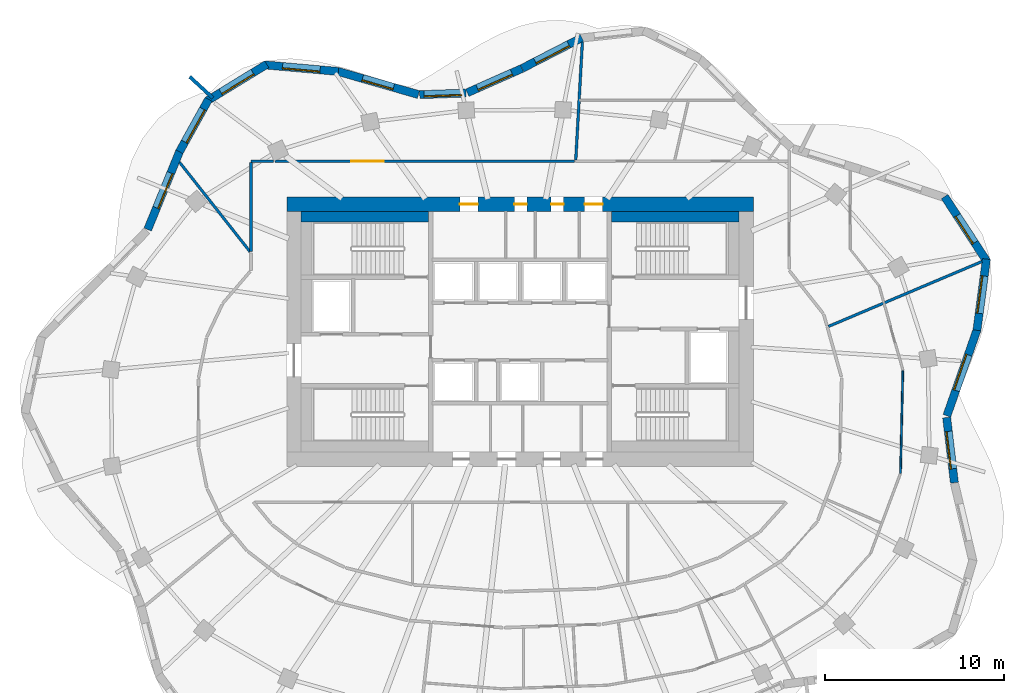
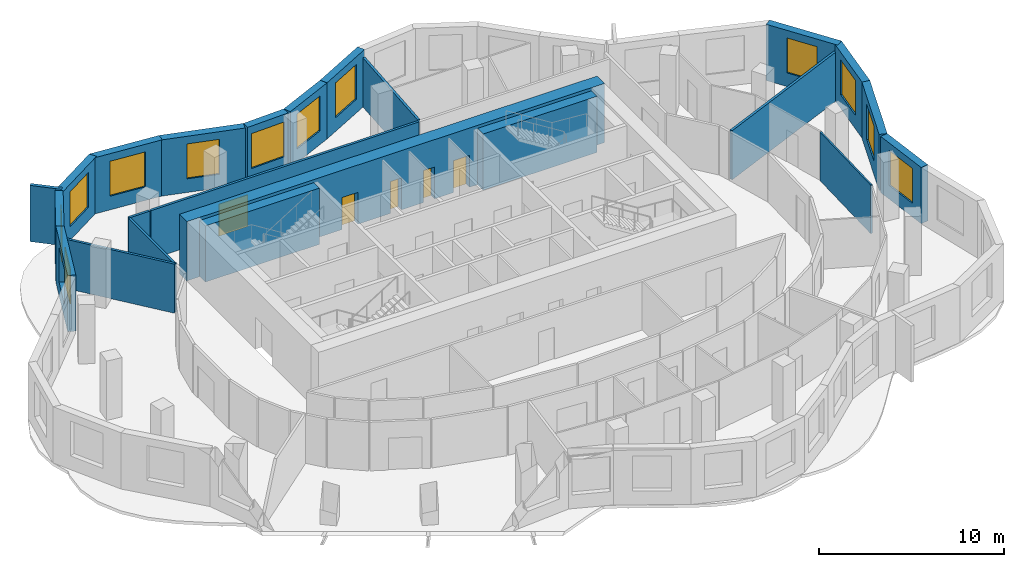
# One storey, part 7 of 9: 23 walls, 12 windows, 5 doors, 17 openings.
"""IFC4 building model written with IfcOpenShell, lengths in metres."""

from ifc_helpers import new_model, si_unit, direction, frame, frame_2d, origin, place, context, subcontext, project, spatial, rectangle, extrude, material, layer, layer_set, type_object, element, fill, save


model = new_model("IFC4")

# Units and contexts
model_context = context("Model", 3, precision=1e-05, world=origin(), true_north=direction((0.0, 1.0)))
body_context = subcontext(model_context, "Body", "Model", "MODEL_VIEW")
ifc_project = project(units=[si_unit("LENGTHUNIT", "METRE"), si_unit("AREAUNIT", "SQUARE_METRE"), si_unit("VOLUMEUNIT", "CUBIC_METRE"), si_unit("PLANEANGLEUNIT", "RADIAN"), si_unit("MASSUNIT", "GRAM", prefix="KILO")], contexts=[model_context])

# Site, building, storey
site_placement = place(None, origin())
site = spatial("IfcSite", under=ifc_project, at=site_placement, CompositionType="ELEMENT")
building_placement = place(site_placement, origin())
building = spatial("IfcBuilding", under=site, at=building_placement, Name="Rubra Terraces Tower", CompositionType="ELEMENT")
storey_placement = place(building_placement, frame((0.0, 0.0, 284.39990234375)))
storey = spatial("IfcBuildingStorey", under=building, at=storey_placement, Name="L70", CompositionType="ELEMENT", Elevation=284.39990234375)

# Wall, opening, window
ifc_material_1 = material(Name="Brick masonry red-brown", Category="masonry")
ifc_layer_1 = layer(ifc_material_1, 0.449951171875)
ifc_layer_set_1 = layer_set([ifc_layer_1], Name="Brick masonry red-brown")
wall_type_1 = type_object("IfcWallType", Name="Brick facade wall 450", PredefinedType="SOLIDWALL", material=ifc_layer_set_1)
wall_1_placement = place(storey_placement, frame((23.782470703125, -0.189208984375, 0.0), z_axis=(0.0, 0.0, 1.0), x_axis=(0.330794307703, 0.943702880144, 0.0)))
wall_1 = element("IfcWall", 1, at=wall_1_placement, inside=storey, type_object=wall_type_1, Name="Facade wall L70 bay 1", PredefinedType="SOLIDWALL", context=body_context, shape_type="SweptSolid", body=[
    extrude(rectangle(XDim=5.095458984375, YDim=0.449951171875, at=frame_2d((2.5478515625, 0.0))), origin(), (0.0, 0.0, 1.0), 3.7001953125),
])
opening_1_placement = place(wall_1_placement, frame((1.497802734375, 0.0, 0.89990234375)))
opening_1 = element("IfcOpeningElement", 2, at=opening_1_placement, cuts=wall_1, Name="Opening W1B", PredefinedType="OPENING", context=body_context, shape_type="SweptSolid", body=[
    extrude(rectangle(XDim=2.10009765625, YDim=2.300048828125, at=frame_2d((1.050048828125, 1.14990234375))), frame((0.0, 0.23486328125, 0.0), z_axis=(0.0, -1.0, 0.0), x_axis=(1.0, 0.0, 0.0)), (0.0, 0.0, 1.0), 0.469970703125),
])
ifc_material_2 = material(Name="Clear glass in aluminium frame", Category="aluminium")
window_type_1 = type_object("IfcWindowType", Name="Fixed deep-set window tall storey 2100 x 2300", PartitioningType="SINGLE_PANEL", PredefinedType="WINDOW", material=ifc_material_2)
window_1_placement = place(opening_1_placement, origin())
window_1 = element("IfcWindow", 3, at=window_1_placement, inside=storey, type_object=window_type_1, Name="Window L70 bay 1", OverallHeight=2.300048828125, OverallWidth=2.10009765625, PartitioningType="SINGLE_PANEL", PredefinedType="WINDOW", context=body_context, shape_type="SweptSolid", body=[
    extrude(rectangle(XDim=2.10009765625, YDim=2.300048828125, at=frame_2d((1.050048828125, 1.14990234375))), frame((0.0, 0.135009765625, 0.0), z_axis=(0.0, -1.0, 0.0), x_axis=(1.0, 0.0, 0.0)), (0.0, 0.0, 1.0), 0.06005859375),
])
fill(opening_1, window_1)

wall_2_placement = place(storey_placement, frame((25.457275390625, 4.57470703125, 0.0), z_axis=(0.0, 0.0, 1.0), x_axis=(0.132475046402, 0.991186340746, 0.0)))
wall_2 = element("IfcWall", 4, at=wall_2_placement, inside=storey, type_object=wall_type_1, Name="Facade wall L70 bay 2", PredefinedType="SOLIDWALL", context=body_context, shape_type="SweptSolid", body=[
    extrude(rectangle(XDim=4.006591796875, YDim=0.449951171875, at=frame_2d((2.00341796875, 0.0))), origin(), (0.0, 0.0, 1.0), 3.7001953125),
])
opening_2_placement = place(wall_2_placement, frame((0.953125, 0.0, 0.89990234375)))
opening_2 = element("IfcOpeningElement", 5, at=opening_2_placement, cuts=wall_2, Name="Opening W1B", PredefinedType="OPENING", context=body_context, shape_type="SweptSolid", body=[
    extrude(rectangle(XDim=2.10009765625, YDim=2.300048828125, at=frame_2d((1.050048828125, 1.14990234375))), frame((0.0, 0.23486328125, 0.0), z_axis=(0.0, -1.0, 0.0), x_axis=(1.0, 0.0, 0.0)), (0.0, 0.0, 1.0), 0.469970703125),
])
window_2_placement = place(opening_2_placement, origin())
window_2 = element("IfcWindow", 6, at=window_2_placement, inside=storey, type_object=window_type_1, Name="Window L70 bay 2", OverallHeight=2.300048828125, OverallWidth=2.10009765625, PartitioningType="SINGLE_PANEL", PredefinedType="WINDOW", context=body_context, shape_type="SweptSolid", body=[
    extrude(rectangle(XDim=2.10009765625, YDim=2.300048828125, at=frame_2d((1.050048828125, 1.14990234375))), frame((0.0, 0.135009765625, 0.0), z_axis=(0.0, -1.0, 0.0), x_axis=(1.0, 0.0, 0.0)), (0.0, 0.0, 1.0), 0.06005859375),
])
fill(opening_2, window_2)

wall_3_placement = place(storey_placement, frame((26.0224609375, 8.393310546875, 0.0), z_axis=(0.0, 0.0, 1.0), x_axis=(-0.545637310328, 0.838021435035, 0.0)))
wall_3 = element("IfcWall", 7, at=wall_3_placement, inside=storey, type_object=wall_type_1, Name="Facade wall L70 bay 3", PredefinedType="SOLIDWALL", context=body_context, shape_type="SweptSolid", body=[
    extrude(rectangle(XDim=4.336181640625, YDim=0.449951171875, at=frame_2d((2.16796875, 0.0))), origin(), (0.0, 0.0, 1.0), 3.7001953125),
])
opening_3_placement = place(wall_3_placement, frame((1.268310546875, 0.0, 0.89990234375)))
opening_3 = element("IfcOpeningElement", 8, at=opening_3_placement, cuts=wall_3, Name="Opening W6B", PredefinedType="OPENING", context=body_context, shape_type="SweptSolid", body=[
    extrude(rectangle(XDim=1.800048828125, YDim=2.300048828125, at=frame_2d((0.89990234375, 1.14990234375))), frame((0.0, 0.23486328125, 0.0), z_axis=(0.0, -1.0, 0.0), x_axis=(1.0, 0.0, 0.0)), (0.0, 0.0, 1.0), 0.469970703125),
])
window_type_2 = type_object("IfcWindowType", Name="Fixed deep-set window at wind fin tall storey 1800 x 2300", PartitioningType="SINGLE_PANEL", PredefinedType="WINDOW", material=ifc_material_2)
window_3_placement = place(opening_3_placement, origin())
window_3 = element("IfcWindow", 9, at=window_3_placement, inside=storey, type_object=window_type_2, Name="Window L70 bay 3", OverallHeight=2.300048828125, OverallWidth=1.800048828125, PartitioningType="SINGLE_PANEL", PredefinedType="WINDOW", context=body_context, shape_type="SweptSolid", body=[
    extrude(rectangle(XDim=1.800048828125, YDim=2.300048828125, at=frame_2d((0.89990234375, 1.14990234375))), frame((0.0, 0.135009765625, 0.0), z_axis=(0.0, -1.0, 0.0), x_axis=(1.0, 0.0, 0.0)), (0.0, 0.0, 1.0), 0.06005859375),
])
fill(opening_3, window_3)

wall_4_placement = place(storey_placement, frame((3.439697265625, 20.879638671875, 0.0), z_axis=(0.0, 0.0, 1.0), x_axis=(-0.889471529144, -0.456990589446, 0.0)))
wall_4 = element("IfcWall", 10, at=wall_4_placement, inside=storey, type_object=wall_type_1, Name="Facade wall L70 bay 10", PredefinedType="SOLIDWALL", context=body_context, shape_type="SweptSolid", body=[
    extrude(rectangle(XDim=3.7353515625, YDim=0.449951171875, at=frame_2d((1.86767578125, 0.0))), origin(), (0.0, 0.0, 1.0), 3.7001953125),
])
opening_4_placement = place(wall_4_placement, frame((0.817626953125, 0.0, 0.89990234375)))
opening_4 = element("IfcOpeningElement", 11, at=opening_4_placement, cuts=wall_4, Name="Opening W1B", PredefinedType="OPENING", context=body_context, shape_type="SweptSolid", body=[
    extrude(rectangle(XDim=2.10009765625, YDim=2.300048828125, at=frame_2d((1.050048828125, 1.14990234375))), frame((0.0, 0.23486328125, 0.0), z_axis=(0.0, -1.0, 0.0), x_axis=(1.0, 0.0, 0.0)), (0.0, 0.0, 1.0), 0.469970703125),
])
window_4_placement = place(opening_4_placement, origin())
window_4 = element("IfcWindow", 12, at=window_4_placement, inside=storey, type_object=window_type_1, Name="Window L70 bay 10", OverallHeight=2.300048828125, OverallWidth=2.10009765625, PartitioningType="SINGLE_PANEL", PredefinedType="WINDOW", context=body_context, shape_type="SweptSolid", body=[
    extrude(rectangle(XDim=2.10009765625, YDim=2.300048828125, at=frame_2d((1.050048828125, 1.14990234375))), frame((0.0, 0.135009765625, 0.0), z_axis=(0.0, -1.0, 0.0), x_axis=(1.0, 0.0, 0.0)), (0.0, 0.0, 1.0), 0.06005859375),
])
fill(opening_4, window_4)

wall_5_placement = place(storey_placement, frame((0.105224609375, 19.1669921875, 0.0), z_axis=(0.0, 0.0, 1.0), x_axis=(-0.91414046241, -0.405397601109, 0.0)))
wall_5 = element("IfcWall", 13, at=wall_5_placement, inside=storey, type_object=wall_type_1, Name="Facade wall L70 bay 11", PredefinedType="SOLIDWALL", context=body_context, shape_type="SweptSolid", body=[
    extrude(rectangle(XDim=3.333251953125, YDim=0.449951171875, at=frame_2d((1.66650390625, 0.0))), origin(), (0.0, 0.0, 1.0), 3.7001953125),
])
opening_5_placement = place(wall_5_placement, frame((0.61669921875, 0.0, 0.89990234375)))
opening_5 = element("IfcOpeningElement", 14, at=opening_5_placement, cuts=wall_5, Name="Opening W1B", PredefinedType="OPENING", context=body_context, shape_type="SweptSolid", body=[
    extrude(rectangle(XDim=2.10009765625, YDim=2.300048828125, at=frame_2d((1.050048828125, 1.14990234375))), frame((0.0, 0.23486328125, 0.0), z_axis=(0.0, -1.0, 0.0), x_axis=(1.0, 0.0, 0.0)), (0.0, 0.0, 1.0), 0.469970703125),
])
window_5_placement = place(opening_5_placement, origin())
window_5 = element("IfcWindow", 15, at=window_5_placement, inside=storey, type_object=window_type_1, Name="Window L70 bay 11", OverallHeight=2.300048828125, OverallWidth=2.10009765625, PartitioningType="SINGLE_PANEL", PredefinedType="WINDOW", context=body_context, shape_type="SweptSolid", body=[
    extrude(rectangle(XDim=2.10009765625, YDim=2.300048828125, at=frame_2d((1.050048828125, 1.14990234375))), frame((0.0, 0.135009765625, 0.0), z_axis=(0.0, -1.0, 0.0), x_axis=(1.0, 0.0, 0.0)), (0.0, 0.0, 1.0), 0.06005859375),
])
fill(opening_5, window_5)

wall_6_placement = place(storey_placement, frame((-3.022216796875, 17.797607421875, 0.0), z_axis=(0.0, 0.0, 1.0), x_axis=(-0.999339560591, -0.036337895349, 0.0)))
wall_6 = element("IfcWall", 16, at=wall_6_placement, inside=storey, type_object=wall_type_1, Name="Facade wall L70 bay 12", PredefinedType="SOLIDWALL", context=body_context, shape_type="SweptSolid", body=[
    extrude(rectangle(XDim=2.5732421875, YDim=0.449951171875, at=frame_2d((1.28662109375, 0.0))), origin(), (0.0, 0.0, 1.0), 3.7001953125),
])
opening_6_placement = place(wall_6_placement, frame((0.236572265625, 0.0, 0.89990234375)))
opening_6 = element("IfcOpeningElement", 17, at=opening_6_placement, cuts=wall_6, Name="Opening W1B", PredefinedType="OPENING", context=body_context, shape_type="SweptSolid", body=[
    extrude(rectangle(XDim=2.10009765625, YDim=2.300048828125, at=frame_2d((1.050048828125, 1.14990234375))), frame((0.0, 0.23486328125, 0.0), z_axis=(0.0, -1.0, 0.0), x_axis=(1.0, 0.0, 0.0)), (0.0, 0.0, 1.0), 0.469970703125),
])
window_6_placement = place(opening_6_placement, origin())
window_6 = element("IfcWindow", 18, at=window_6_placement, inside=storey, type_object=window_type_1, Name="Window L70 bay 12", OverallHeight=2.300048828125, OverallWidth=2.10009765625, PartitioningType="SINGLE_PANEL", PredefinedType="WINDOW", context=body_context, shape_type="SweptSolid", body=[
    extrude(rectangle(XDim=2.10009765625, YDim=2.300048828125, at=frame_2d((1.050048828125, 1.14990234375))), frame((0.0, 0.135009765625, 0.0), z_axis=(0.0, -1.0, 0.0), x_axis=(1.0, 0.0, 0.0)), (0.0, 0.0, 1.0), 0.06005859375),
])
fill(opening_6, window_6)

wall_7_placement = place(storey_placement, frame((-5.6640625, 17.712646484375, 0.0), z_axis=(0.0, 0.0, 1.0), x_axis=(-0.961108031684, 0.276172684083, 0.0)))
wall_7 = element("IfcWall", 19, at=wall_7_placement, inside=storey, type_object=wall_type_1, Name="Facade wall L70 bay 13", PredefinedType="SOLIDWALL", context=body_context, shape_type="SweptSolid", body=[
    extrude(rectangle(XDim=4.686279296875, YDim=0.449951171875, at=frame_2d((2.34326171875, 0.0))), origin(), (0.0, 0.0, 1.0), 3.7001953125),
])
opening_7_placement = place(wall_7_placement, frame((1.443115234375, 0.0, 0.89990234375)))
opening_7 = element("IfcOpeningElement", 20, at=opening_7_placement, cuts=wall_7, Name="Opening W6B", PredefinedType="OPENING", context=body_context, shape_type="SweptSolid", body=[
    extrude(rectangle(XDim=1.800048828125, YDim=2.300048828125, at=frame_2d((0.89990234375, 1.14990234375))), frame((0.0, 0.23486328125, 0.0), z_axis=(0.0, -1.0, 0.0), x_axis=(1.0, 0.0, 0.0)), (0.0, 0.0, 1.0), 0.469970703125),
])
window_7_placement = place(opening_7_placement, origin())
window_7 = element("IfcWindow", 21, at=window_7_placement, inside=storey, type_object=window_type_2, Name="Window L70 bay 13", OverallHeight=2.300048828125, OverallWidth=1.800048828125, PartitioningType="SINGLE_PANEL", PredefinedType="WINDOW", context=body_context, shape_type="SweptSolid", body=[
    extrude(rectangle(XDim=1.800048828125, YDim=2.300048828125, at=frame_2d((0.89990234375, 1.14990234375))), frame((0.0, 0.135009765625, 0.0), z_axis=(0.0, -1.0, 0.0), x_axis=(1.0, 0.0, 0.0)), (0.0, 0.0, 1.0), 0.06005859375),
])
fill(opening_7, window_7)

wall_8_placement = place(storey_placement, frame((-10.125732421875, 18.9990234375, 0.0), z_axis=(0.0, 0.0, 1.0), x_axis=(-0.996031087117, 0.089006030672, 0.0)))
wall_8 = element("IfcWall", 22, at=wall_8_placement, inside=storey, type_object=wall_type_1, Name="Facade wall L70 bay 14", PredefinedType="SOLIDWALL", context=body_context, shape_type="SweptSolid", body=[
    extrude(rectangle(XDim=4.14453125, YDim=0.449951171875, at=frame_2d((2.072265625, 0.0))), origin(), (0.0, 0.0, 1.0), 3.7001953125),
])
opening_8_placement = place(wall_8_placement, frame((1.022216796875, 0.0, 0.89990234375)))
opening_8 = element("IfcOpeningElement", 23, at=opening_8_placement, cuts=wall_8, Name="Opening W1B", PredefinedType="OPENING", context=body_context, shape_type="SweptSolid", body=[
    extrude(rectangle(XDim=2.10009765625, YDim=2.300048828125, at=frame_2d((1.050048828125, 1.14990234375))), frame((0.0, 0.23486328125, 0.0), z_axis=(0.0, -1.0, 0.0), x_axis=(1.0, 0.0, 0.0)), (0.0, 0.0, 1.0), 0.469970703125),
])
window_8_placement = place(opening_8_placement, origin())
window_8 = element("IfcWindow", 24, at=window_8_placement, inside=storey, type_object=window_type_1, Name="Window L70 bay 14", OverallHeight=2.300048828125, OverallWidth=2.10009765625, PartitioningType="SINGLE_PANEL", PredefinedType="WINDOW", context=body_context, shape_type="SweptSolid", body=[
    extrude(rectangle(XDim=2.10009765625, YDim=2.300048828125, at=frame_2d((1.050048828125, 1.14990234375))), frame((0.0, 0.135009765625, 0.0), z_axis=(0.0, -1.0, 0.0), x_axis=(1.0, 0.0, 0.0)), (0.0, 0.0, 1.0), 0.06005859375),
])
fill(opening_8, window_8)

wall_9_placement = place(storey_placement, frame((-14.116455078125, 19.400146484375, 0.0), z_axis=(0.0, 0.0, 1.0), x_axis=(-0.852622865325, -0.522526793117, 0.0)))
wall_9 = element("IfcWall", 25, at=wall_9_placement, inside=storey, type_object=wall_type_1, Name="Facade wall L70 bay 15", PredefinedType="SOLIDWALL", context=body_context, shape_type="SweptSolid", body=[
    extrude(rectangle(XDim=3.896240234375, YDim=0.449951171875, at=frame_2d((1.9482421875, 0.0))), origin(), (0.0, 0.0, 1.0), 3.7001953125),
])
opening_9_placement = place(wall_9_placement, frame((0.898193359375, 0.0, 0.89990234375)))
opening_9 = element("IfcOpeningElement", 26, at=opening_9_placement, cuts=wall_9, Name="Opening W1B", PredefinedType="OPENING", context=body_context, shape_type="SweptSolid", body=[
    extrude(rectangle(XDim=2.10009765625, YDim=2.300048828125, at=frame_2d((1.050048828125, 1.14990234375))), frame((0.0, 0.23486328125, 0.0), z_axis=(0.0, -1.0, 0.0), x_axis=(1.0, 0.0, 0.0)), (0.0, 0.0, 1.0), 0.469970703125),
])
window_9_placement = place(opening_9_placement, origin())
window_9 = element("IfcWindow", 27, at=window_9_placement, inside=storey, type_object=window_type_1, Name="Window L70 bay 15", OverallHeight=2.300048828125, OverallWidth=2.10009765625, PartitioningType="SINGLE_PANEL", PredefinedType="WINDOW", context=body_context, shape_type="SweptSolid", body=[
    extrude(rectangle(XDim=2.10009765625, YDim=2.300048828125, at=frame_2d((1.050048828125, 1.14990234375))), frame((0.0, 0.135009765625, 0.0), z_axis=(0.0, -1.0, 0.0), x_axis=(1.0, 0.0, 0.0)), (0.0, 0.0, 1.0), 0.06005859375),
])
fill(opening_9, window_9)

wall_10_placement = place(storey_placement, frame((-17.359375, 17.44677734375, 0.0), z_axis=(0.0, 0.0, 1.0), x_axis=(-0.485618126214, -0.874171056197, 0.0)))
wall_10 = element("IfcWall", 28, at=wall_10_placement, inside=storey, type_object=wall_type_1, Name="Facade wall L70 bay 16", PredefinedType="SOLIDWALL", context=body_context, shape_type="SweptSolid", body=[
    extrude(rectangle(XDim=3.3427734375, YDim=0.449951171875, at=frame_2d((1.67138671875, 0.0))), origin(), (0.0, 0.0, 1.0), 3.7001953125),
])
opening_10_placement = place(wall_10_placement, frame((0.621337890625, 0.0, 0.89990234375)))
opening_10 = element("IfcOpeningElement", 29, at=opening_10_placement, cuts=wall_10, Name="Opening W1B", PredefinedType="OPENING", context=body_context, shape_type="SweptSolid", body=[
    extrude(rectangle(XDim=2.10009765625, YDim=2.300048828125, at=frame_2d((1.050048828125, 1.14990234375))), frame((0.0, 0.23486328125, 0.0), z_axis=(0.0, -1.0, 0.0), x_axis=(1.0, 0.0, 0.0)), (0.0, 0.0, 1.0), 0.469970703125),
])
window_10_placement = place(opening_10_placement, origin())
window_10 = element("IfcWindow", 30, at=window_10_placement, inside=storey, type_object=window_type_1, Name="Window L70 bay 16", OverallHeight=2.300048828125, OverallWidth=2.10009765625, PartitioningType="SINGLE_PANEL", PredefinedType="WINDOW", context=body_context, shape_type="SweptSolid", body=[
    extrude(rectangle(XDim=2.10009765625, YDim=2.300048828125, at=frame_2d((1.050048828125, 1.14990234375))), frame((0.0, 0.135009765625, 0.0), z_axis=(0.0, -1.0, 0.0), x_axis=(1.0, 0.0, 0.0)), (0.0, 0.0, 1.0), 0.06005859375),
])
fill(opening_10, window_10)

wall_11_placement = place(storey_placement, frame((-18.97119140625, 14.548828125, 0.0), z_axis=(0.0, 0.0, 1.0), x_axis=(-0.378434936431, -0.925627894398, 0.0)))
wall_11 = element("IfcWall", 31, at=wall_11_placement, inside=storey, type_object=wall_type_1, Name="Facade wall L70 bay 17", PredefinedType="SOLIDWALL", context=body_context, shape_type="SweptSolid", body=[
    extrude(rectangle(XDim=4.70751953125, YDim=0.449951171875, at=frame_2d((2.353759765625, 0.0))), origin(), (0.0, 0.0, 1.0), 3.7001953125),
])
opening_11_placement = place(wall_11_placement, frame((1.3037109375, 0.0, 0.89990234375)))
opening_11 = element("IfcOpeningElement", 32, at=opening_11_placement, cuts=wall_11, Name="Opening W1B", PredefinedType="OPENING", context=body_context, shape_type="SweptSolid", body=[
    extrude(rectangle(XDim=2.10009765625, YDim=2.300048828125, at=frame_2d((1.050048828125, 1.14990234375))), frame((0.0, 0.23486328125, 0.0), z_axis=(0.0, -1.0, 0.0), x_axis=(1.0, 0.0, 0.0)), (0.0, 0.0, 1.0), 0.469970703125),
])
window_11_placement = place(opening_11_placement, origin())
window_11 = element("IfcWindow", 33, at=window_11_placement, inside=storey, type_object=window_type_1, Name="Window L70 bay 17", OverallHeight=2.300048828125, OverallWidth=2.10009765625, PartitioningType="SINGLE_PANEL", PredefinedType="WINDOW", context=body_context, shape_type="SweptSolid", body=[
    extrude(rectangle(XDim=2.10009765625, YDim=2.300048828125, at=frame_2d((1.050048828125, 1.14990234375))), frame((0.0, 0.135009765625, 0.0), z_axis=(0.0, -1.0, 0.0), x_axis=(1.0, 0.0, 0.0)), (0.0, 0.0, 1.0), 0.06005859375),
])
fill(opening_11, window_11)

wall_12_placement = place(storey_placement, frame((24.200927734375, -3.915283203125, 0.0), z_axis=(0.0, 0.0, 1.0), x_axis=(-0.117623597589, 0.993058250703, 0.0)))
wall_12 = element("IfcWall", 34, at=wall_12_placement, inside=storey, type_object=wall_type_1, Name="Facade wall L70 bay 40", PredefinedType="SOLIDWALL", context=body_context, shape_type="SweptSolid", body=[
    extrude(rectangle(XDim=3.6572265625, YDim=0.449951171875, at=frame_2d((1.82861328125, 0.0))), origin(), (0.0, 0.0, 1.0), 3.7001953125),
])
opening_12_placement = place(wall_12_placement, frame((0.77880859375, 0.0, 0.89990234375)))
opening_12 = element("IfcOpeningElement", 35, at=opening_12_placement, cuts=wall_12, Name="Opening W1B", PredefinedType="OPENING", context=body_context, shape_type="SweptSolid", body=[
    extrude(rectangle(XDim=2.10009765625, YDim=2.300048828125, at=frame_2d((1.050048828125, 1.14990234375))), frame((0.0, 0.23486328125, 0.0), z_axis=(0.0, -1.0, 0.0), x_axis=(1.0, 0.0, 0.0)), (0.0, 0.0, 1.0), 0.469970703125),
])
window_12_placement = place(opening_12_placement, origin())
window_12 = element("IfcWindow", 36, at=window_12_placement, inside=storey, type_object=window_type_1, Name="Window L70 bay 40", OverallHeight=2.300048828125, OverallWidth=2.10009765625, PartitioningType="SINGLE_PANEL", PredefinedType="WINDOW", context=body_context, shape_type="SweptSolid", body=[
    extrude(rectangle(XDim=2.10009765625, YDim=2.300048828125, at=frame_2d((1.050048828125, 1.14990234375))), frame((0.0, 0.135009765625, 0.0), z_axis=(0.0, -1.0, 0.0), x_axis=(1.0, 0.0, 0.0)), (0.0, 0.0, 1.0), 0.06005859375),
])
fill(opening_12, window_12)

# Wall
ifc_layer_2 = layer(ifc_material_1, 0.199951171875)
ifc_layer_set_2 = layer_set([ifc_layer_2], Name="Brick masonry red-brown")
wall_type_2 = type_object("IfcWallType", Name="Brick wind fin 200", PredefinedType="SOLIDWALL", material=ifc_layer_set_2)
wall_13_placement = place(storey_placement, frame((-17.118896484375, 17.52294921875, 0.0), z_axis=(0.0, 0.0, 1.0), x_axis=(-0.737866019047, 0.674947211221, 0.0)))
element("IfcWall", 37, at=wall_13_placement, inside=storey, type_object=wall_type_2, Name="Wind fin L70 8", PredefinedType="SOLIDWALL", context=body_context, shape_type="SweptSolid", body=[
    extrude(rectangle(XDim=1.75, YDim=0.199951171875, at=frame_2d((0.875, 0.0))), origin(), (0.0, 0.0, 1.0), 3.7001953125),
])

# Wall, openings, doors
ifc_material_3 = material(Name="Concrete C50", Category="concrete")
ifc_layer_3 = layer(ifc_material_3, 0.800048828125)
ifc_layer_set_3 = layer_set([ifc_layer_3], Name="Concrete C50")
wall_type_3 = type_object("IfcWallType", Name="CORE WALL 800 C50", PredefinedType="SHEAR", material=ifc_layer_set_3)
wall_14_placement = place(storey_placement, frame((-13.0, 11.60009765625, 0.0), z_axis=(0.0, 0.0, 1.0), x_axis=(1.0, 0.0, 0.0)))
wall_14 = element("IfcWall", 38, at=wall_14_placement, inside=storey, type_object=wall_type_3, Name="CORE WALL N L70", PredefinedType="SHEAR", context=body_context, shape_type="SweptSolid", body=[
    extrude(rectangle(XDim=26.0, YDim=0.800048828125, at=frame_2d((13.0, 0.0))), origin(), (0.0, 0.0, 1.0), 3.900146484375),
])
opening_13_placement = place(wall_14_placement, frame((9.64990234375, 0.0, 0.0)))
opening_13 = element("IfcOpeningElement", 39, at=opening_13_placement, cuts=wall_14, Name="Opening L70.C25", PredefinedType="OPENING", context=body_context, shape_type="SweptSolid", body=[
    extrude(rectangle(XDim=1.0, YDim=2.10009765625, at=frame_2d((0.5, 1.050048828125))), frame((0.0, 0.409912109375, 0.0), z_axis=(0.0, -1.0, 0.0), x_axis=(1.0, 0.0, 0.0)), (0.0, 0.0, 1.0), 0.820068359375),
])
opening_14_placement = place(wall_14_placement, frame((12.675048828125, 0.0, 0.0)))
opening_14 = element("IfcOpeningElement", 40, at=opening_14_placement, cuts=wall_14, Name="Opening L70.C26", PredefinedType="OPENING", context=body_context, shape_type="SweptSolid", body=[
    extrude(rectangle(XDim=0.699951171875, YDim=2.10009765625, at=frame_2d((0.35009765625, 1.050048828125))), frame((0.0, 0.409912109375, 0.0), z_axis=(0.0, -1.0, 0.0), x_axis=(1.0, 0.0, 0.0)), (0.0, 0.0, 1.0), 0.820068359375),
])
opening_15_placement = place(wall_14_placement, frame((14.72509765625, 0.0, 0.0)))
opening_15 = element("IfcOpeningElement", 41, at=opening_15_placement, cuts=wall_14, Name="Opening L70.C27", PredefinedType="OPENING", context=body_context, shape_type="SweptSolid", body=[
    extrude(rectangle(XDim=0.699951171875, YDim=2.10009765625, at=frame_2d((0.35009765625, 1.050048828125))), frame((0.0, 0.409912109375, 0.0), z_axis=(0.0, -1.0, 0.0), x_axis=(1.0, 0.0, 0.0)), (0.0, 0.0, 1.0), 0.820068359375),
])
opening_16_placement = place(wall_14_placement, frame((16.60009765625, 0.0, 0.0)))
opening_16 = element("IfcOpeningElement", 42, at=opening_16_placement, cuts=wall_14, Name="Opening L70.C28", PredefinedType="OPENING", context=body_context, shape_type="SweptSolid", body=[
    extrude(rectangle(XDim=1.0, YDim=2.10009765625, at=frame_2d((0.5, 1.050048828125))), frame((0.0, 0.409912109375, 0.0), z_axis=(0.0, -1.0, 0.0), x_axis=(1.0, 0.0, 0.0)), (0.0, 0.0, 1.0), 0.820068359375),
])
ifc_material_4 = material(Name="Painted steel", Category="steel")
door_type_1 = type_object("IfcDoorType", Name="Fire door 1000x2100 single", OperationType="NOTDEFINED", PredefinedType="DOOR", material=ifc_material_4)
door_1_placement = place(opening_13_placement, origin())
door_1 = element("IfcDoor", 43, at=door_1_placement, inside=storey, type_object=door_type_1, Name="Tea point door", OperationType="SINGLE_SWING_LEFT", OverallHeight=2.10009765625, OverallWidth=1.0, PredefinedType="DOOR", context=body_context, shape_type="SweptSolid", body=[
    extrude(rectangle(XDim=1.0, YDim=2.10009765625, at=frame_2d((0.5, 1.050048828125))), frame((0.0, 0.02490234375, 0.0), z_axis=(0.0, -1.0, 0.0), x_axis=(1.0, 0.0, 0.0)), (0.0, 0.0, 1.0), 0.050048828125),
])
fill(opening_13, door_1)
door_2_placement = place(opening_16_placement, origin())
door_2 = element("IfcDoor", 44, at=door_2_placement, inside=storey, type_object=door_type_1, Name="General store door", OperationType="SINGLE_SWING_RIGHT", OverallHeight=2.10009765625, OverallWidth=1.0, PredefinedType="DOOR", context=body_context, shape_type="SweptSolid", body=[
    extrude(rectangle(XDim=1.0, YDim=2.10009765625, at=frame_2d((0.5, 1.050048828125))), frame((0.0, 0.02490234375, 0.0), z_axis=(0.0, -1.0, 0.0), x_axis=(1.0, 0.0, 0.0)), (0.0, 0.0, 1.0), 0.050048828125),
])
fill(opening_16, door_2)
door_type_2 = type_object("IfcDoorType", Name="Riser access door 700x2100 single", OperationType="NOTDEFINED", PredefinedType="DOOR", material=ifc_material_4)
door_3_placement = place(opening_14_placement, origin())
door_3 = element("IfcDoor", 45, at=door_3_placement, inside=storey, type_object=door_type_2, Name="Electrical riser room door", OperationType="SINGLE_SWING_RIGHT", OverallHeight=2.10009765625, OverallWidth=0.699951171875, PredefinedType="DOOR", context=body_context, shape_type="SweptSolid", body=[
    extrude(rectangle(XDim=0.699951171875, YDim=2.10009765625, at=frame_2d((0.35009765625, 1.050048828125))), frame((0.0, 0.02490234375, 0.0), z_axis=(0.0, -1.0, 0.0), x_axis=(1.0, 0.0, 0.0)), (0.0, 0.0, 1.0), 0.050048828125),
])
fill(opening_14, door_3)
door_4_placement = place(opening_15_placement, origin())
door_4 = element("IfcDoor", 46, at=door_4_placement, inside=storey, type_object=door_type_2, Name="Telecoms room door", OperationType="SINGLE_SWING_LEFT", OverallHeight=2.10009765625, OverallWidth=0.699951171875, PredefinedType="DOOR", context=body_context, shape_type="SweptSolid", body=[
    extrude(rectangle(XDim=0.699951171875, YDim=2.10009765625, at=frame_2d((0.35009765625, 1.050048828125))), frame((0.0, 0.02490234375, 0.0), z_axis=(0.0, -1.0, 0.0), x_axis=(1.0, 0.0, 0.0)), (0.0, 0.0, 1.0), 0.050048828125),
])
fill(opening_15, door_4)

# Wall, opening, door
ifc_material_5 = material(Name="Plasterboard on steel stud, mineral wool infill", Category="steel")
ifc_layer_4 = layer(ifc_material_5, 0.14990234375)
ifc_layer_set_4 = layer_set([ifc_layer_4], Name="Plasterboard on steel stud, mineral wool infill")
wall_type_4 = type_object("IfcWallType", Name="CORRIDOR PARTITION 150", PredefinedType="PARTITIONING", material=ifc_layer_set_4)
wall_15_placement = place(storey_placement, frame((3.02294921875, 14.0, 0.0), z_axis=(0.0, 0.0, 1.0), x_axis=(-1.0, 0.0, 0.0)))
wall_15 = element("IfcWall", 47, at=wall_15_placement, inside=storey, type_object=wall_type_4, Name="PARTITION", PredefinedType="PARTITIONING", context=body_context, shape_type="SweptSolid", body=[
    extrude(rectangle(XDim=16.683837890625, YDim=0.14990234375, at=frame_2d((8.341796875, 0.0))), origin(), (0.0, 0.0, 1.0), 3.197998046875),
])
opening_17_placement = place(wall_15_placement, frame((10.6279296875, 0.0, 0.0)))
opening_17 = element("IfcOpeningElement", 48, at=opening_17_placement, cuts=wall_15, Name="Opening 70-112", PredefinedType="OPENING", context=body_context, shape_type="SweptSolid", body=[
    extrude(rectangle(XDim=1.800048828125, YDim=2.10009765625, at=frame_2d((0.89990234375, 1.050048828125))), frame((0.0, 0.0849609375, 0.0), z_axis=(0.0, -1.0, 0.0), x_axis=(1.0, 0.0, 0.0)), (0.0, 0.0, 1.0), 0.169921875),
])
ifc_material_6 = material(Name="Painted timber door leaf, double", Category="wood")
door_type_3 = type_object("IfcDoorType", Name="ROOM DOUBLE DOOR 1800 X 2100", OperationType="DOUBLE_DOOR_SINGLE_SWING", PredefinedType="DOOR", material=ifc_material_6)
door_5_placement = place(opening_17_placement, origin())
door_5 = element("IfcDoor", 49, at=door_5_placement, inside=storey, type_object=door_type_3, Name="DOOR 70-112", OperationType="DOUBLE_DOOR_SINGLE_SWING", OverallHeight=2.10009765625, OverallWidth=1.800048828125, PredefinedType="DOOR", context=body_context, shape_type="SweptSolid", body=[
    extrude(rectangle(XDim=1.800048828125, YDim=2.10009765625, at=frame_2d((0.89990234375, 1.050048828125))), frame((0.0, 0.02490234375, 0.0), z_axis=(0.0, -1.0, 0.0), x_axis=(1.0, 0.0, 0.0)), (0.0, 0.0, 1.0), 0.050048828125),
])
fill(opening_17, door_5)

# Walls
wall_16_placement = place(storey_placement, frame((-13.731689453125, 14.0, 0.0), z_axis=(0.0, 0.0, 1.0), x_axis=(-1.0, 0.0, 0.0)))
element("IfcWall", 50, at=wall_16_placement, inside=storey, type_object=wall_type_4, Name="PARTITION", PredefinedType="PARTITIONING", context=body_context, shape_type="SweptSolid", body=[
    extrude(rectangle(XDim=1.268310546875, YDim=0.14990234375, at=frame_2d((0.63427734375, 0.0))), origin(), (0.0, 0.0, 1.0), 3.197998046875),
])
wall_17_placement = place(storey_placement, frame((-15.0, 13.925048828125, 0.0), z_axis=(0.0, 0.0, 1.0), x_axis=(0.0, -1.0, 0.0)))
element("IfcWall", 51, at=wall_17_placement, inside=storey, type_object=wall_type_4, Name="PARTITION", PredefinedType="PARTITIONING", context=body_context, shape_type="SweptSolid", body=[
    extrude(rectangle(XDim=4.95703125, YDim=0.14990234375, at=frame_2d((2.478515625, 0.0))), origin(), (0.0, 0.0, 1.0), 3.197998046875),
])
ifc_material_7 = material(Name="Concrete C40", Category="concrete")
ifc_layer_5 = layer(ifc_material_7, 0.60009765625)
ifc_layer_set_5 = layer_set([ifc_layer_5], Name="Concrete C40")
wall_type_5 = type_object("IfcWallType", Name="Core lining wall 600 concrete", PredefinedType="SOLIDWALL", material=ifc_layer_set_5)
for number, where, z_axis, x_axis, name in (
    (52, (-12.199951171875, 10.89990234375, 0.0), (0.0, 0.0, 1.0), (1.0, 0.0, 0.0), "CORE LINING WALL L70"),
    (53, (12.199951171875, 10.89990234375, 0.0), (0.0, 0.0, 1.0), (-1.0, 0.0, 0.0), "CORE LINING WALL L70"),
):
    element("IfcWall", number, at=place(storey_placement, frame(where, z_axis=z_axis, x_axis=x_axis)), inside=storey, type_object=wall_type_5, Name=name, PredefinedType="SOLIDWALL", context=body_context, shape_type="SweptSolid", body=[
        extrude(rectangle(XDim=7.099853515625, YDim=0.60009765625, at=frame_2d((3.5498046875, 0.0))), origin(), (0.0, 0.0, 1.0), 3.7001953125),
    ])
ifc_material_8 = material(Name="Plasterboard on steel stud", Category="steel")
ifc_layer_6 = layer(ifc_material_8, 0.10009765625)
ifc_layer_set_6 = layer_set([ifc_layer_6], Name="Plasterboard on steel stud")
wall_type_6 = type_object("IfcWallType", Name="ROOM PARTITION 100", PredefinedType="PARTITIONING", material=ifc_layer_set_6)
wall_18_placement = place(storey_placement, frame((21.330078125, 2.310302734375, 0.0), z_axis=(0.0, 0.0, 1.0), x_axis=(-0.023052695677, -0.9997342513, 0.0)))
element("IfcWall", 54, at=wall_18_placement, inside=storey, type_object=wall_type_6, Name="PARTITION", PredefinedType="PARTITIONING", context=body_context, shape_type="SweptSolid", body=[
    extrude(rectangle(XDim=5.708251953125, YDim=0.10009765625, at=frame_2d((2.85400390625, 0.0))), origin(), (0.0, 0.0, 1.0), 3.197998046875),
])
ifc_layer_7 = layer(ifc_material_8, 0.14990234375)
ifc_layer_set_7 = layer_set([ifc_layer_7], Name="Plasterboard on steel stud")
wall_type_7 = type_object("IfcWallType", Name="ROOM PARTITION 150", PredefinedType="PARTITIONING", material=ifc_layer_set_7)
wall_19_placement = place(storey_placement, frame((-18.97412109375, 13.9365234375, 0.0), z_axis=(0.0, 0.0, 1.0), x_axis=(0.618916821117, -0.785456535104, 0.0)))
element("IfcWall", 55, at=wall_19_placement, inside=storey, type_object=wall_type_7, Name="PARTITION", PredefinedType="PARTITIONING", context=body_context, shape_type="SweptSolid", body=[
    extrude(rectangle(XDim=6.34619140625, YDim=0.14990234375, at=frame_2d((3.173095703125, 0.0))), origin(), (0.0, 0.0, 1.0), 3.234130859375),
])
wall_20_placement = place(storey_placement, frame((25.738525390625, 8.408447265625, 0.0), z_axis=(0.0, 0.0, 1.0), x_axis=(-0.92106014218, -0.389420357052, 0.0)))
element("IfcWall", 56, at=wall_20_placement, inside=storey, type_object=wall_type_7, Name="PARTITION", PredefinedType="PARTITIONING", context=body_context, shape_type="SweptSolid", body=[
    extrude(rectangle(XDim=9.28369140625, YDim=0.14990234375, at=frame_2d((4.641845703125, 0.0))), origin(), (0.0, 0.0, 1.0), 3.234130859375),
])
wall_21_placement = place(storey_placement, frame((3.47021484375, 20.63818359375, 0.0), z_axis=(0.0, 0.0, 1.0), x_axis=(-0.055969858851, -0.998432458857, 0.0)))
element("IfcWall", 57, at=wall_21_placement, inside=storey, type_object=wall_type_7, Name="PARTITION", PredefinedType="PARTITIONING", context=body_context, shape_type="SweptSolid", body=[
    extrude(rectangle(XDim=6.573486328125, YDim=0.14990234375, at=frame_2d((3.28662109375, 0.0))), origin(), (0.0, 0.0, 1.0), 3.234130859375),
])

save(model, "model.ifc")
